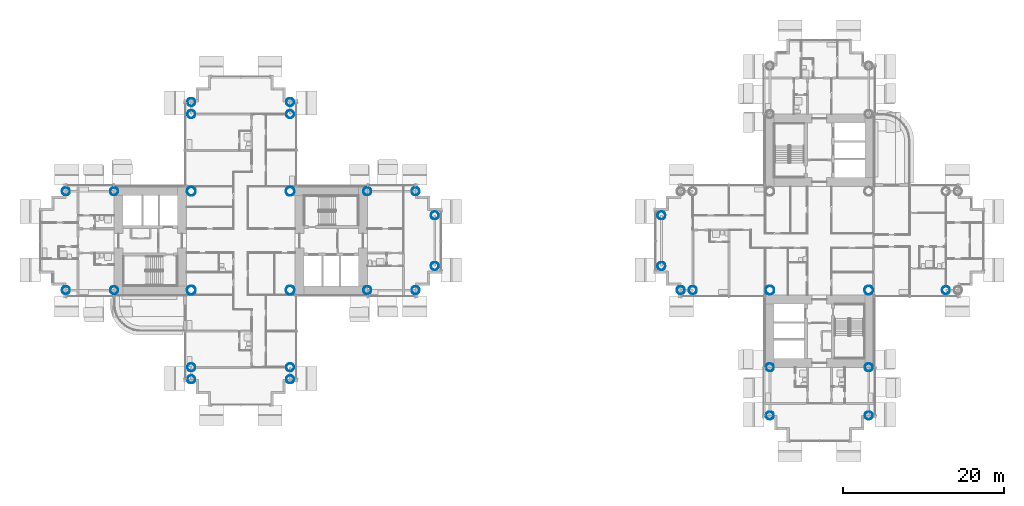
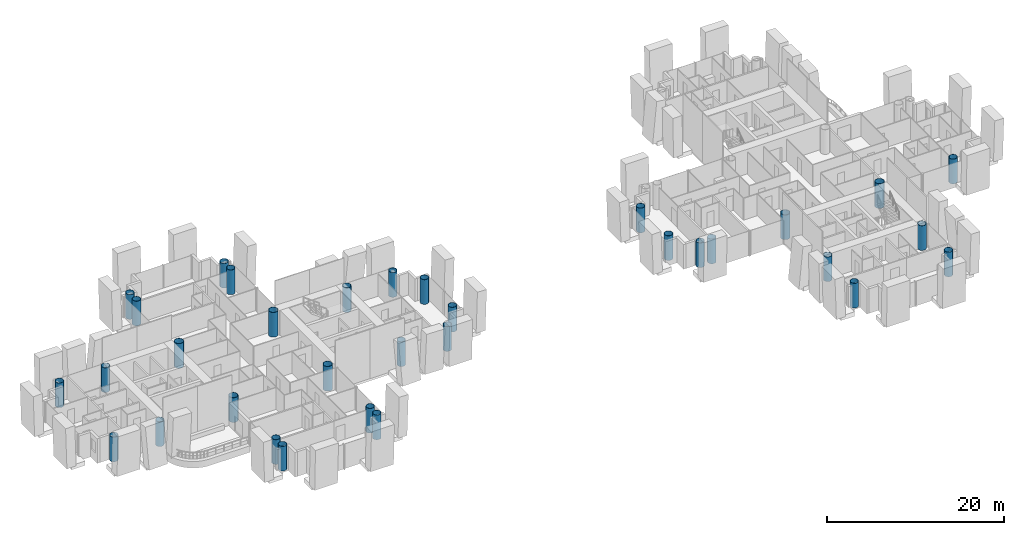
# One storey, part 1 of 25: 33 columns.
"""IFC4 building model written with IfcOpenShell, lengths in metres."""

from ifc_helpers import new_model, si_unit, direction, frame, origin, origin_2d, place, context, subcontext, project, spatial, hollow_circle, extrude, material, material_profile, profile_set, type_object, element, save


model = new_model("IFC4")

# Units and contexts
model_context = context("Model", 3, precision=1e-05, world=origin(), true_north=direction((0.0, 1.0)))
body_context = subcontext(model_context, "Body", "Model", "MODEL_VIEW")
ifc_project = project(units=[si_unit("LENGTHUNIT", "METRE"), si_unit("AREAUNIT", "SQUARE_METRE"), si_unit("VOLUMEUNIT", "CUBIC_METRE"), si_unit("PLANEANGLEUNIT", "RADIAN"), si_unit("MASSUNIT", "GRAM", prefix="KILO")], contexts=[model_context])

# Site, building, storey
site_placement = place(None, origin())
site = spatial("IfcSite", under=ifc_project, at=site_placement, CompositionType="ELEMENT")
building_placement = place(site_placement, origin())
building = spatial("IfcBuilding", under=site, at=building_placement, Name="Ipe Terrace Towers", CompositionType="ELEMENT")
storey_placement = place(building_placement, frame((0.0, 0.0, 65.300048828125)))
storey = spatial("IfcBuildingStorey", under=building, at=storey_placement, Name="L17", CompositionType="ELEMENT", Elevation=65.300048828125)

# Columns
ifc_material_1 = material(Name="Steel S355 tube with Concrete C60/75 fill", Category="concrete")
ifc_material_profile_1 = material_profile(ifc_material_1, hollow_circle(Radius=0.5, WallThickness=0.035888671875, at=origin_2d()), Name="CHS-1000x36")
ifc_profile_set_1 = profile_set([ifc_material_profile_1], Name="Steel S355 tube with Concrete C60/75 fill")
column_type_1 = type_object("IfcColumnType", Name="CH01 COLUMN CHS-1000x36", PredefinedType="COLUMN", material=ifc_profile_set_1)
for number, where, z_axis, x_axis, name in (
    (1, (-20.25, -6.14990234375, 0.0), (0.0, 0.0, 1.0), (1.0, 0.0, 0.0), "Column T1-C-A01"),
    (2, (-20.25, 6.14990234375, 0.0), (0.0, 0.0, 1.0), (1.0, 0.0, 0.0), "Column T1-C-A02"),
    (3, (-14.25, -6.14990234375, 0.0), (0.0, 0.0, 1.0), (1.0, 0.0, 0.0), "Column T1-C-A03"),
    (4, (-14.25, 6.14990234375, 0.0), (0.0, 0.0, 1.0), (1.0, 0.0, 0.0), "Column T1-C-A04"),
    (5, (-11.85009765625, -3.14990234375, 0.0), (0.0, 0.0, 1.0), (1.0, 0.0, 0.0), "Column T1-C-A05"),
    (6, (-11.85009765625, 3.14990234375, 0.0), (0.0, 0.0, 1.0), (1.0, 0.0, 0.0), "Column T1-C-A06"),
    (7, (-29.85009765625, 15.75, 0.0), (0.0, 0.0, 1.0), (1.0, 0.0, 0.0), "Column T1-C-B03"),
    (8, (-42.14990234375, 15.75, 0.0), (0.0, 0.0, 1.0), (1.0, 0.0, 0.0), "Column T1-C-B04"),
    (9, (-29.85009765625, 17.25, 0.0), (0.0, 0.0, 1.0), (1.0, 0.0, 0.0), "Column T1-C-B05"),
    (10, (-42.14990234375, 17.25, 0.0), (0.0, 0.0, 1.0), (1.0, 0.0, 0.0), "Column T1-C-B06"),
    (11, (-51.75, -6.14990234375, 0.0), (0.0, 0.0, 1.0), (1.0, 0.0, 0.0), "Column T1-C-C01"),
    (12, (-51.75, 6.14990234375, 0.0), (0.0, 0.0, 1.0), (1.0, 0.0, 0.0), "Column T1-C-C02"),
    (13, (-57.75, -6.14990234375, 0.0), (0.0, 0.0, 1.0), (1.0, 0.0, 0.0), "Column T1-C-C03"),
    (14, (-57.75, 6.14990234375, 0.0), (0.0, 0.0, 1.0), (1.0, 0.0, 0.0), "Column T1-C-C04"),
    (15, (-42.14990234375, -15.75, 0.0), (0.0, 0.0, 1.0), (1.0, 0.0, 0.0), "Column T1-C-D03"),
    (16, (-29.85009765625, -15.75, 0.0), (0.0, 0.0, 1.0), (1.0, 0.0, 0.0), "Column T1-C-D04"),
    (17, (-42.14990234375, -17.25, 0.0), (0.0, 0.0, 1.0), (1.0, 0.0, 0.0), "Column T1-C-D05"),
    (18, (-29.85009765625, -17.25, 0.0), (0.0, 0.0, 1.0), (1.0, 0.0, 0.0), "Column T1-C-D06"),
    (19, (20.25, -6.14990234375, 0.0), (0.0, 0.0, 1.0), (1.0, 0.0, 0.0), "Column T2-C-B04"),
    (20, (18.75, -6.14990234375, 0.0), (0.0, 0.0, 1.0), (1.0, 0.0, 0.0), "Column T2-C-B06"),
    (21, (16.35009765625, 3.14990234375, 0.0), (0.0, 0.0, 1.0), (1.0, 0.0, 0.0), "Column T2-C-B07"),
    (22, (16.35009765625, -3.14990234375, 0.0), (0.0, 0.0, 1.0), (1.0, 0.0, 0.0), "Column T2-C-B08"),
    (23, (42.14990234375, -15.75, 0.0), (0.0, 0.0, 1.0), (1.0, 0.0, 0.0), "Column T2-C-C01"),
    (24, (29.85009765625, -15.75, 0.0), (0.0, 0.0, 1.0), (1.0, 0.0, 0.0), "Column T2-C-C02"),
    (25, (42.14990234375, -21.75, 0.0), (0.0, 0.0, 1.0), (1.0, 0.0, 0.0), "Column T2-C-C03"),
    (26, (29.85009765625, -21.75, 0.0), (0.0, 0.0, 1.0), (1.0, 0.0, 0.0), "Column T2-C-C04"),
    (27, (51.75, -6.14990234375, 0.0), (0.0, 0.0, 1.0), (1.0, 0.0, 0.0), "Column T2-C-D03"),
):
    element("IfcColumn", number, at=place(storey_placement, frame(where, z_axis=z_axis, x_axis=x_axis)), inside=storey, type_object=column_type_1, Name=name, PredefinedType="COLUMN", context=body_context, shape_type="SweptSolid", body=[
        extrude(hollow_circle(Radius=0.5, WallThickness=0.035888671875, at=origin_2d()), origin(), (0.0, 0.0, 1.0), 3.39990234375),
    ])
ifc_material_2 = material(Name="Steel S355 tube with Concrete C60/75 fill", Category="concrete")
ifc_material_profile_2 = material_profile(ifc_material_2, hollow_circle(Radius=0.550048828125, WallThickness=0.0400390625, at=origin_2d()), Name="CHS-1100x40")
ifc_profile_set_2 = profile_set([ifc_material_profile_2], Name="Steel S355 tube with Concrete C60/75 fill")
column_type_2 = type_object("IfcColumnType", Name="CH02 COLUMN CHS-1100x40", PredefinedType="COLUMN", material=ifc_profile_set_2)
for number, where, z_axis, x_axis, name in (
    (28, (-42.14990234375, -6.14990234375, 0.0), (0.0, 0.0, 1.0), (1.0, 0.0, 0.0), "Column T1-C-E01"),
    (29, (-29.85009765625, -6.14990234375, 0.0), (0.0, 0.0, 1.0), (1.0, 0.0, 0.0), "Column T1-C-E02"),
    (30, (-29.85009765625, 6.14990234375, 0.0), (0.0, 0.0, 1.0), (1.0, 0.0, 0.0), "Column T1-C-E03"),
    (31, (-42.14990234375, 6.14990234375, 0.0), (0.0, 0.0, 1.0), (1.0, 0.0, 0.0), "Column T1-C-E04"),
    (32, (42.14990234375, -6.14990234375, 0.0), (0.0, 0.0, 1.0), (1.0, 0.0, 0.0), "Column T2-C-E01"),
    (33, (29.85009765625, -6.14990234375, 0.0), (0.0, 0.0, 1.0), (1.0, 0.0, 0.0), "Column T2-C-E04"),
):
    element("IfcColumn", number, at=place(storey_placement, frame(where, z_axis=z_axis, x_axis=x_axis)), inside=storey, type_object=column_type_2, Name=name, PredefinedType="COLUMN", context=body_context, shape_type="SweptSolid", body=[
        extrude(hollow_circle(Radius=0.550048828125, WallThickness=0.0400390625, at=origin_2d()), origin(), (0.0, 0.0, 1.0), 3.39990234375),
    ])

save(model, "model.ifc")
